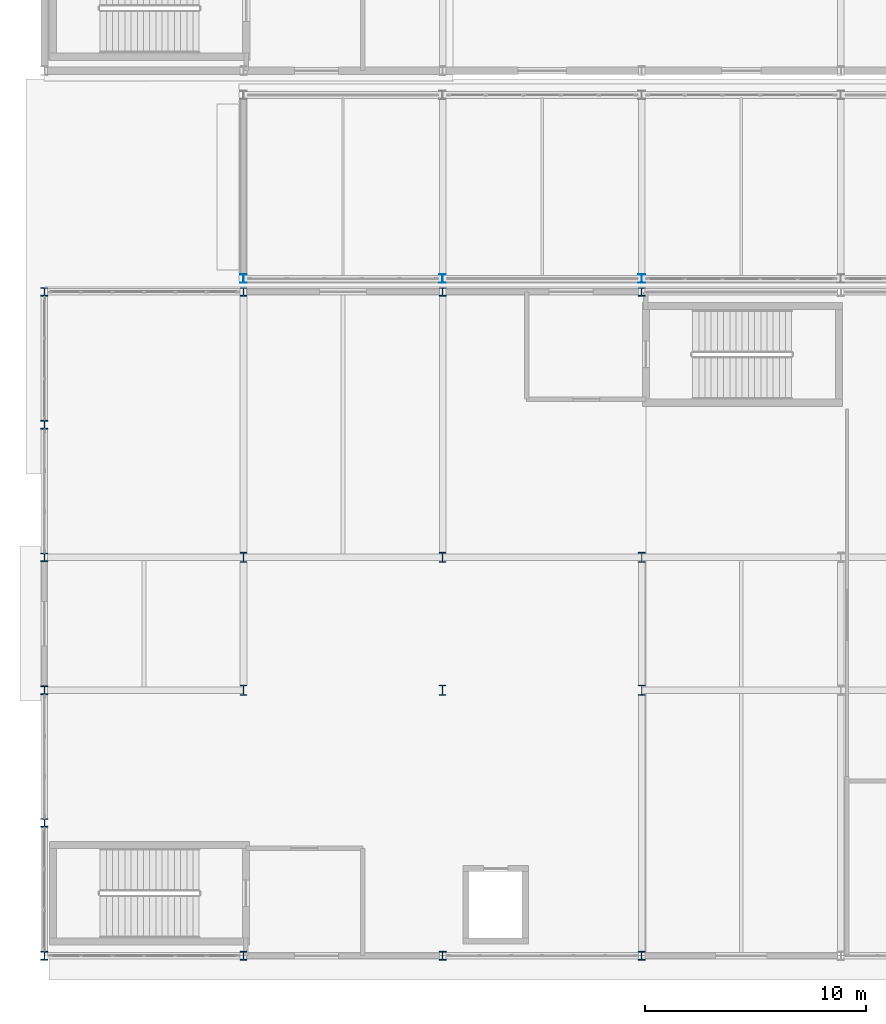
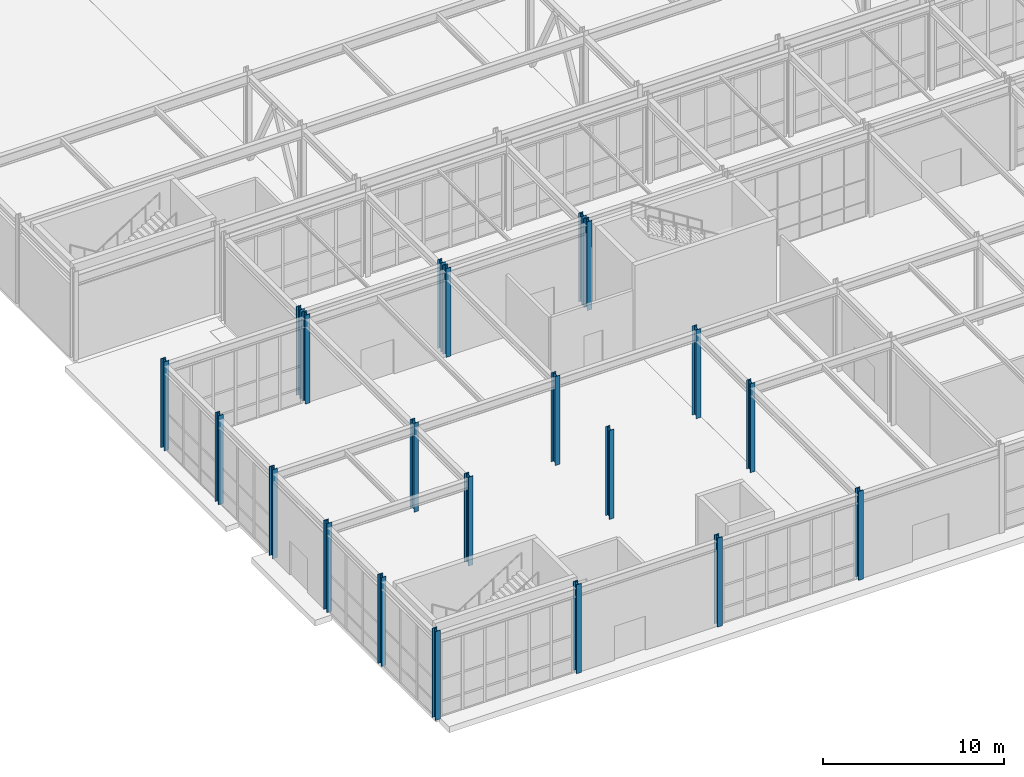
# One storey, part 1 of 146: 21 columns.
"""IFC4 building model written with IfcOpenShell, lengths in metres."""

from ifc_helpers import new_model, si_unit, direction, frame, origin, origin_2d, place, context, subcontext, project, spatial, i_section, extrude, material, material_profile, profile_set, type_object, element, save


model = new_model("IFC4")

# Units and contexts
model_context = context("Model", 3, precision=1e-05, world=origin(), true_north=direction((0.0, 1.0)))
body_context = subcontext(model_context, "Body", "Model", "MODEL_VIEW")
ifc_project = project(units=[si_unit("LENGTHUNIT", "METRE"), si_unit("AREAUNIT", "SQUARE_METRE"), si_unit("VOLUMEUNIT", "CUBIC_METRE"), si_unit("PLANEANGLEUNIT", "RADIAN"), si_unit("MASSUNIT", "GRAM", prefix="KILO")], contexts=[model_context])

# Site, building, storey
site_placement = place(None, origin())
site = spatial("IfcSite", under=ifc_project, at=site_placement, CompositionType="ELEMENT")
building_placement = place(site_placement, origin())
building = spatial("IfcBuilding", under=site, at=building_placement, Name="Kaldris Quays Convention Centre", CompositionType="ELEMENT")
storey_placement = place(building_placement, origin())
storey = spatial("IfcBuildingStorey", under=building, at=storey_placement, Name="L00", CompositionType="ELEMENT", Elevation=0.0)

# Columns
ifc_material_1 = material(Name="Steel S460ML", Category="steel")
ifc_material_profile_1 = material_profile(ifc_material_1, i_section(OverallWidth=0.30810546875, OverallDepth=0.39501953125, WebThickness=0.02099609375, FlangeThickness=0.0400390625, FilletRadius=0.027099609375, at=origin_2d()), Name="HEM 360")
ifc_profile_set_1 = profile_set([ifc_material_profile_1], Name="Steel S460ML")
column_type_1 = type_object("IfcColumnType", Name="STRUCTURAL COLUMN CL02", PredefinedType="COLUMN", material=ifc_profile_set_1)
for number, where, z_axis, x_axis, name in (
    (1, (20.0, 16.0, 0.0), (0.0, 0.0, 1.0), (1.0, 0.0, 0.0), "L00 V3 Column CL02 (20.00, 16.00)"),
    (2, (20.0, 22.0, 0.0), (0.0, 0.0, 1.0), (1.0, 0.0, 0.0), "L00 V3 Column CL02 (20.00, 22.00)"),
    (3, (20.0, 28.0, 0.0), (0.0, 0.0, 1.0), (1.0, 0.0, 0.0), "L00 V3 Column CL02 (20.00, 28.00)"),
    (4, (20.0, 34.0, 0.0), (0.0, 0.0, 1.0), (1.0, 0.0, 0.0), "L00 V3 Column CL02 (20.00, 34.00)"),
    (5, (20.0, 40.0, 0.0), (0.0, 0.0, 1.0), (1.0, 0.0, 0.0), "L00 V3 Column CL02 (20.00, 40.00)"),
    (6, (20.0, 46.0, 0.0), (0.0, 0.0, 1.0), (1.0, 0.0, 0.0), "L00 V3 Column CL02 (20.00, 46.00)"),
    (7, (29.0, 16.0, 0.0), (0.0, 0.0, 1.0), (1.0, 0.0, 0.0), "L00 V3 Column CL02 (29.00, 16.00)"),
    (8, (29.0, 46.0, 0.0), (0.0, 0.0, 1.0), (1.0, 0.0, 0.0), "L00 V3 Column CL02 (29.00, 46.00)"),
    (9, (38.0, 16.0, 0.0), (0.0, 0.0, 1.0), (1.0, 0.0, 0.0), "L00 V3 Column CL02 (38.00, 16.00)"),
    (10, (38.0, 46.0, 0.0), (0.0, 0.0, 1.0), (1.0, 0.0, 0.0), "L00 V3 Column CL02 (38.00, 46.00)"),
    (11, (47.0, 16.0, 0.0), (0.0, 0.0, 1.0), (1.0, 0.0, 0.0), "L00 V3 Column CL02 (47.00, 16.00)"),
    (12, (47.0, 46.0, 0.0), (0.0, 0.0, 1.0), (1.0, 0.0, 0.0), "L00 V3 Column CL02 (47.00, 46.00)"),
):
    element("IfcColumn", number, at=place(storey_placement, frame(where, z_axis=z_axis, x_axis=x_axis)), inside=storey, type_object=column_type_1, Name=name, PredefinedType="COLUMN", context=body_context, shape_type="SweptSolid", body=[
        extrude(i_section(OverallWidth=0.30810546875, OverallDepth=0.39501953125, WebThickness=0.02099609375, FlangeThickness=0.0400390625, FilletRadius=0.027099609375, at=origin_2d()), origin(), (0.0, 0.0, 1.0), 6.0),
    ])
ifc_material_2 = material(Name="Steel S355J2", Category="steel")
ifc_material_profile_2 = material_profile(ifc_material_2, i_section(OverallWidth=0.300048828125, OverallDepth=0.449951171875, WebThickness=0.013916015625, FlangeThickness=0.02587890625, FilletRadius=0.027099609375, at=origin_2d()), Name="HEB 450")
ifc_profile_set_2 = profile_set([ifc_material_profile_2], Name="Steel S355J2")
column_type_2 = type_object("IfcColumnType", Name="STRUCTURAL COLUMN CL08", PredefinedType="COLUMN", material=ifc_profile_set_2)
for number, where, z_axis, x_axis, name in (
    (13, (29.0, 28.0, 0.0), (0.0, 0.0, 1.0), (1.0, 0.0, 0.0), "L00 V3 Column CL08 (29.00, 28.00)"),
    (14, (29.0, 34.0, 0.0), (0.0, 0.0, 1.0), (1.0, 0.0, 0.0), "L00 V3 Column CL08 (29.00, 34.00)"),
    (15, (38.0, 28.0, 0.0), (0.0, 0.0, 1.0), (1.0, 0.0, 0.0), "L00 V3 Column CL08 (38.00, 28.00)"),
    (16, (38.0, 34.0, 0.0), (0.0, 0.0, 1.0), (1.0, 0.0, 0.0), "L00 V3 Column CL08 (38.00, 34.00)"),
    (17, (47.0, 28.0, 0.0), (0.0, 0.0, 1.0), (1.0, 0.0, 0.0), "L00 V3 Column CL08 (47.00, 28.00)"),
    (18, (47.0, 34.0, 0.0), (0.0, 0.0, 1.0), (1.0, 0.0, 0.0), "L00 V3 Column CL08 (47.00, 34.00)"),
):
    element("IfcColumn", number, at=place(storey_placement, frame(where, z_axis=z_axis, x_axis=x_axis)), inside=storey, type_object=column_type_2, Name=name, PredefinedType="COLUMN", context=body_context, shape_type="SweptSolid", body=[
        extrude(i_section(OverallWidth=0.300048828125, OverallDepth=0.449951171875, WebThickness=0.013916015625, FlangeThickness=0.02587890625, FilletRadius=0.027099609375, at=origin_2d()), origin(), (0.0, 0.0, 1.0), 6.0),
    ])
ifc_material_profile_3 = material_profile(ifc_material_2, i_section(OverallWidth=0.300048828125, OverallDepth=0.389892578125, WebThickness=0.010986328125, FlangeThickness=0.01904296875, FilletRadius=0.027099609375, at=origin_2d()), Name="HEA 400")
ifc_profile_set_3 = profile_set([ifc_material_profile_3], Name="Steel S355J2")
column_type_3 = type_object("IfcColumnType", Name="STRUCTURAL COLUMN CL12", PredefinedType="COLUMN", material=ifc_profile_set_3)
for number, where, z_axis, x_axis, name in (
    (19, (29.0, 46.60009765625, 0.0), (0.0, 0.0, 1.0), (1.0, 0.0, 0.0), "L00 V4 Column CL12 (29.00, 46.60)"),
    (20, (38.0, 46.60009765625, 0.0), (0.0, 0.0, 1.0), (1.0, 0.0, 0.0), "L00 V4 Column CL12 (38.00, 46.60)"),
    (21, (47.0, 46.60009765625, 0.0), (0.0, 0.0, 1.0), (1.0, 0.0, 0.0), "L00 V4 Column CL12 (47.00, 46.60)"),
):
    element("IfcColumn", number, at=place(storey_placement, frame(where, z_axis=z_axis, x_axis=x_axis)), inside=storey, type_object=column_type_3, Name=name, PredefinedType="COLUMN", context=body_context, shape_type="SweptSolid", body=[
        extrude(i_section(OverallWidth=0.300048828125, OverallDepth=0.389892578125, WebThickness=0.010986328125, FlangeThickness=0.01904296875, FilletRadius=0.027099609375, at=origin_2d()), origin(), (0.0, 0.0, 1.0), 6.0),
    ])

save(model, "model.ifc")
